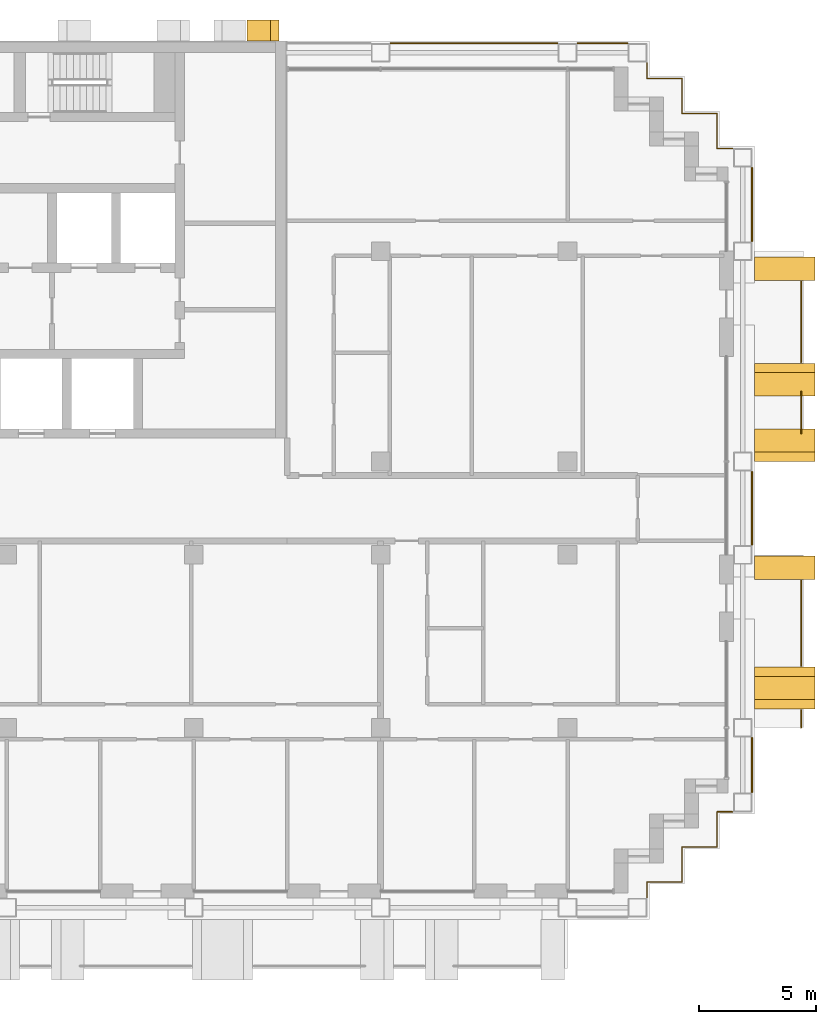
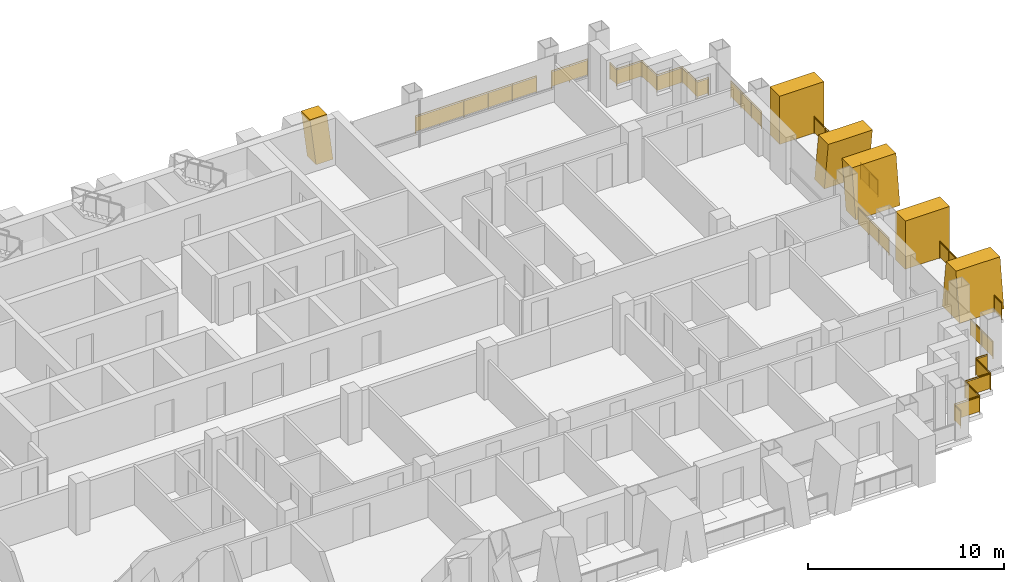
# One storey, part 16 of 16: 11 railings, 6 shading devices.
"""IFC4 building model written with IfcOpenShell, lengths in metres."""

from ifc_helpers import new_model, si_unit, direction, frame, origin, origin_2d, place, context, subcontext, project, spatial, polyline, rectangle, circle, outline, extrude, material, layer, layer_set, type_object, element, save


model = new_model("IFC4")

# Units and contexts
model_context = context("Model", 3, precision=1e-05, world=origin(), true_north=direction((0.0, 1.0)))
body_context = subcontext(model_context, "Body", "Model", "MODEL_VIEW")
ifc_project = project(units=[si_unit("LENGTHUNIT", "METRE"), si_unit("AREAUNIT", "SQUARE_METRE"), si_unit("VOLUMEUNIT", "CUBIC_METRE"), si_unit("PLANEANGLEUNIT", "RADIAN"), si_unit("MASSUNIT", "GRAM", prefix="KILO")], contexts=[model_context])

# Site, building, storey
site_placement = place(None, origin())
site = spatial("IfcSite", under=ifc_project, at=site_placement, CompositionType="ELEMENT")
building_placement = place(site_placement, origin())
building = spatial("IfcBuilding", under=site, at=building_placement, Name="Vidyagriha Tower", CompositionType="ELEMENT")
storey_placement = place(building_placement, frame((0.0, 0.0, 145.39990234375)))
storey = spatial("IfcBuildingStorey", under=building, at=storey_placement, Name="L38", CompositionType="ELEMENT", Elevation=145.39990234375)

# Railings
ifc_material_1 = material(Name="Steel ASTM A500 Grade C black painted", Category="steel")
railing_type_1 = type_object("IfcRailingType", Name="Balcony guard 1100", PredefinedType="BALUSTRADE", material=ifc_material_1)
railing_1_placement = place(storey_placement, frame((36.0, -9.39990234375, 0.0)))
element("IfcRailing", 1, at=railing_1_placement, inside=storey, type_object=railing_type_1, Name="Balcony guard L38 R30.1-1", PredefinedType="BALUSTRADE", context=body_context, shape_type="SweptSolid", body=[
    extrude(circle(Radius=0.02490234375, at=origin_2d()), frame((0.0, 0.0, 1.0751953125), z_axis=(0.0, 1.0, 0.0), x_axis=(-1.0, 0.0, 0.0)), (0.0, 0.0, 1.0), 0.75),
    extrude(circle(Radius=0.02001953125, at=origin_2d()), origin(), (0.0, 0.0, 1.0), 1.050048828125),
    extrude(circle(Radius=0.02001953125, at=origin_2d()), frame((0.0, 0.75, 0.0)), (0.0, 0.0, 1.0), 1.050048828125),
    extrude(rectangle(XDim=0.010009765625, YDim=0.900146484375, at=origin_2d()), frame((0.0, 0.0, 0.550048828125), z_axis=(0.0, 1.0, 0.0), x_axis=(-1.0, 0.0, 0.0)), (0.0, 0.0, 1.0), 0.75),
])
railing_2_placement = place(storey_placement, frame((36.0, -6.75, 0.0)))
element("IfcRailing", 2, at=railing_2_placement, inside=storey, type_object=railing_type_1, Name="Balcony guard L38 R30.1-2", PredefinedType="BALUSTRADE", context=body_context, shape_type="SweptSolid", body=[
    extrude(circle(Radius=0.02490234375, at=origin_2d()), frame((0.0, 0.0, 1.0751953125), z_axis=(0.0, 1.0, 0.0), x_axis=(-1.0, 0.0, 0.0)), (0.0, 0.0, 1.0), 3.64990234375),
    extrude(circle(Radius=0.02001953125, at=origin_2d()), origin(), (0.0, 0.0, 1.0), 1.050048828125),
    extrude(circle(Radius=0.02001953125, at=origin_2d()), frame((0.0, 0.91259765625, 0.0)), (0.0, 0.0, 1.0), 1.050048828125),
    extrude(circle(Radius=0.02001953125, at=origin_2d()), frame((0.0, 1.824951171875, 0.0)), (0.0, 0.0, 1.0), 1.050048828125),
    extrude(circle(Radius=0.02001953125, at=origin_2d()), frame((0.0, 2.7373046875, 0.0)), (0.0, 0.0, 1.0), 1.050048828125),
    extrude(circle(Radius=0.02001953125, at=origin_2d()), frame((0.0, 3.64990234375, 0.0)), (0.0, 0.0, 1.0), 1.050048828125),
    extrude(rectangle(XDim=0.010009765625, YDim=0.900146484375, at=origin_2d()), frame((0.0, 0.0, 0.550048828125), z_axis=(0.0, 1.0, 0.0), x_axis=(-1.0, 0.0, 0.0)), (0.0, 0.0, 1.0), 3.64990234375),
])
railing_3_placement = place(storey_placement, frame((36.0, 3.203369140625, 0.0)))
element("IfcRailing", 3, at=railing_3_placement, inside=storey, type_object=railing_type_1, Name="Balcony guard L38 R30.2-1", PredefinedType="BALUSTRADE", context=body_context, shape_type="SweptSolid", body=[
    extrude(circle(Radius=0.02490234375, at=origin_2d()), frame((0.0, 0.0, 1.0751953125), z_axis=(0.0, 1.0, 0.0), x_axis=(-1.0, 0.0, 0.0)), (0.0, 0.0, 1.0), 1.793212890625),
    extrude(circle(Radius=0.02001953125, at=origin_2d()), origin(), (0.0, 0.0, 1.0), 1.050048828125),
    extrude(circle(Radius=0.02001953125, at=origin_2d()), frame((0.0, 0.896484375, 0.0)), (0.0, 0.0, 1.0), 1.050048828125),
    extrude(circle(Radius=0.02001953125, at=origin_2d()), frame((0.0, 1.793212890625, 0.0)), (0.0, 0.0, 1.0), 1.050048828125),
    extrude(rectangle(XDim=0.010009765625, YDim=0.900146484375, at=origin_2d()), frame((0.0, 0.0, 0.550048828125), z_axis=(0.0, 1.0, 0.0), x_axis=(-1.0, 0.0, 0.0)), (0.0, 0.0, 1.0), 1.793212890625),
])
railing_4_placement = place(storey_placement, frame((36.0, 6.25, 0.0)))
element("IfcRailing", 4, at=railing_4_placement, inside=storey, type_object=railing_type_1, Name="Balcony guard L38 R30.2-2", PredefinedType="BALUSTRADE", context=body_context, shape_type="SweptSolid", body=[
    extrude(circle(Radius=0.02490234375, at=origin_2d()), frame((0.0, 0.0, 1.0751953125), z_axis=(0.0, 1.0, 0.0), x_axis=(-1.0, 0.0, 0.0)), (0.0, 0.0, 1.0), 3.449951171875),
    extrude(circle(Radius=0.02001953125, at=origin_2d()), origin(), (0.0, 0.0, 1.0), 1.050048828125),
    extrude(circle(Radius=0.02001953125, at=origin_2d()), frame((0.0, 1.14990234375, 0.0)), (0.0, 0.0, 1.0), 1.050048828125),
    extrude(circle(Radius=0.02001953125, at=origin_2d()), frame((0.0, 2.300048828125, 0.0)), (0.0, 0.0, 1.0), 1.050048828125),
    extrude(circle(Radius=0.02001953125, at=origin_2d()), frame((0.0, 3.449951171875, 0.0)), (0.0, 0.0, 1.0), 1.050048828125),
    extrude(rectangle(XDim=0.010009765625, YDim=0.900146484375, at=origin_2d()), frame((0.0, 0.0, 0.550048828125), z_axis=(0.0, 1.0, 0.0), x_axis=(-1.0, 0.0, 0.0)), (0.0, 0.0, 1.0), 3.449951171875),
])

# Shading devices
ifc_material_2 = material(Name="Precast concrete C40/50 with buff brick facing", Category="concrete")
ifc_layer_1 = layer(ifc_material_2, 1.0)
ifc_layer_set_1 = layer_set([ifc_layer_1], Name="Precast concrete C40/50 with buff brick facing")
shading_device_type_1 = type_object("IfcShadingDeviceType", Name="Brick-faced blade fin arm leaning 8 degrees", PredefinedType="USERDEFINED", material=ifc_layer_set_1)
shading_device_1_placement = place(storey_placement, frame((35.300048828125, 4.800048828125, 0.0), z_axis=(0.0, 0.0, 1.0), x_axis=(0.0, 1.0, 0.0)))
element("IfcShadingDevice", 5, at=shading_device_1_placement, inside=storey, type_object=shading_device_type_1, Name="Leaning blade fin L38 R30.1360a", ObjectType="BLADE FIN", PredefinedType="USERDEFINED", context=body_context, shape_type="SweptSolid", body=[
    extrude(outline(polyline([(0.39990234375, 0.0), (1.39990234375, 0.0), (1.0, 3.0), (0.0, 3.0), (0.39990234375, 0.0)])), frame((0.0, 1.300048828125, 0.0), z_axis=(0.0, -1.0, 0.0), x_axis=(1.0, 0.0, 0.0)), (0.0, 0.0, 1.0), 2.60009765625),
])
shading_device_2_placement = place(storey_placement, frame((35.300048828125, 2.0, 0.0), z_axis=(0.0, 0.0, 1.0), x_axis=(0.0, 1.0, 0.0)))
element("IfcShadingDevice", 6, at=shading_device_2_placement, inside=storey, type_object=shading_device_type_1, Name="Leaning blade fin L38 R30.1360b", ObjectType="BLADE FIN", PredefinedType="USERDEFINED", context=body_context, shape_type="SweptSolid", body=[
    extrude(outline(polyline([(0.0, 0.0), (1.0, 0.0), (1.39990234375, 3.0), (0.39990234375, 3.0), (0.0, 0.0)])), frame((0.0, 1.300048828125, 0.0), z_axis=(0.0, -1.0, 0.0), x_axis=(1.0, 0.0, 0.0)), (0.0, 0.0, 1.0), 2.60009765625),
])
ifc_material_3 = material(Name="Precast concrete C40/50 with buff brick facing", Category="concrete")
ifc_layer_2 = layer(ifc_material_3, 1.0)
ifc_layer_set_2 = layer_set([ifc_layer_2], Name="Precast concrete C40/50 with buff brick facing")
shading_device_type_2 = type_object("IfcShadingDeviceType", Name="Brick-faced blade fin forking 8 degrees", PredefinedType="USERDEFINED", material=ifc_layer_set_2)
shading_device_3_placement = place(storey_placement, frame((35.300048828125, -8.60009765625, 0.0), z_axis=(0.0, 0.0, 1.0), x_axis=(0.0, 1.0, 0.0)))
element("IfcShadingDevice", 7, at=shading_device_3_placement, inside=storey, type_object=shading_device_type_2, Name="Forked blade fin L38 R30.220a", ObjectType="BLADE FIN", PredefinedType="USERDEFINED", context=body_context, shape_type="SweptSolid", body=[
    extrude(outline(polyline([(0.0, 0.0), (1.800048828125, 0.0), (1.39990234375, 3.0), (0.39990234375, 3.0), (0.0, 0.0)])), frame((0.0, 1.300048828125, 0.0), z_axis=(0.0, -1.0, 0.0), x_axis=(1.0, 0.0, 0.0)), (0.0, 0.0, 1.0), 2.60009765625),
])
ifc_material_4 = material(Name="Precast concrete C40/50 with buff brick facing", Category="concrete")
ifc_layer_3 = layer(ifc_material_4, 1.0)
ifc_layer_set_3 = layer_set([ifc_layer_3], Name="Precast concrete C40/50 with buff brick facing")
shading_device_type_3 = type_object("IfcShadingDeviceType", Name="Brick-faced blade fin stem 1000", PredefinedType="USERDEFINED", material=ifc_layer_set_3)
for number, where, z_axis, x_axis, name in (
    (8, (35.300048828125, -3.050048828125, 0.0), (0.0, 0.0, 1.0), (0.0, 1.0, 0.0), "Stem blade fin L38 R30.960a"),
    (9, (35.300048828125, 9.75, 0.0), (0.0, 0.0, 1.0), (0.0, 1.0, 0.0), "Stem blade fin L38 R30.2260a"),
):
    element("IfcShadingDevice", number, at=place(storey_placement, frame(where, z_axis=z_axis, x_axis=x_axis)), inside=storey, type_object=shading_device_type_3, Name=name, ObjectType="BLADE FIN", PredefinedType="USERDEFINED", context=body_context, shape_type="SweptSolid", body=[
        extrude(outline(polyline([(0.0, 0.0), (1.0, 0.0), (1.0, 3.0), (0.0, 3.0), (0.0, 0.0)])), frame((0.0, 1.300048828125, 0.0), z_axis=(0.0, -1.0, 0.0), x_axis=(1.0, 0.0, 0.0)), (0.0, 0.0, 1.0), 2.60009765625),
    ])
ifc_material_5 = material(Name="Precast concrete C40/50 with brick facing", Category="concrete")
ifc_layer_4 = layer(ifc_material_5, 1.0)
ifc_layer_set_4 = layer_set([ifc_layer_4], Name="Precast concrete C40/50 with brick facing")
shading_device_type_4 = type_object("IfcShadingDeviceType", Name="Brick-faced rear rib arm leaning 8 degrees", PredefinedType="USERDEFINED", material=ifc_layer_set_4)
shading_device_4_placement = place(storey_placement, frame((13.642822265625, 20.449951171875, 0.0), z_axis=(0.0, 0.0, 1.0), x_axis=(-1.0, 0.0, 0.0)))
element("IfcShadingDevice", 10, at=shading_device_4_placement, inside=storey, type_object=shading_device_type_4, Name="Rear rib arm L38 R08.1b", ObjectType="BLADE FIN", PredefinedType="USERDEFINED", context=body_context, shape_type="SweptSolid", body=[
    extrude(outline(polyline([(0.0, 0.0), (1.0, 0.0), (1.357177734375, 2.920166015625), (0.357177734375, 2.920166015625), (0.0, 0.0)])), frame((0.0, 0.449951171875, 0.0), z_axis=(0.0, -1.0, 0.0), x_axis=(1.0, 0.0, 0.0)), (0.0, 0.0, 1.0), 0.89990234375),
])

# Railings
ifc_material_6 = material(Name="Steel ASTM A500 Grade C black painted", Category="steel")
railing_type_2 = type_object("IfcRailingType", Name="Gallery guard 1100", PredefinedType="GUARDRAIL", material=ifc_material_6)
railing_5_placement = place(storey_placement, frame((18.429931640625, 19.89990234375, 0.0)))
element("IfcRailing", 11, at=railing_5_placement, inside=storey, type_object=railing_type_2, Name="Gallery guard L38 10", PredefinedType="GUARDRAIL", context=body_context, shape_type="SweptSolid", body=[
    extrude(circle(Radius=0.02490234375, at=origin_2d()), frame((0.0, 0.0, 1.0751953125), z_axis=(1.0, 0.0, 0.0), x_axis=(0.0, 1.0, 0.0)), (0.0, 0.0, 1.0), 7.14013671875),
    extrude(circle(Radius=0.02001953125, at=origin_2d()), origin(), (0.0, 0.0, 1.0), 1.050048828125),
    extrude(circle(Radius=0.02001953125, at=origin_2d()), frame((1.427978515625, 0.0, 0.0)), (0.0, 0.0, 1.0), 1.050048828125),
    extrude(circle(Radius=0.02001953125, at=origin_2d()), frame((2.85595703125, 0.0, 0.0)), (0.0, 0.0, 1.0), 1.050048828125),
    extrude(circle(Radius=0.02001953125, at=origin_2d()), frame((4.2841796875, 0.0, 0.0)), (0.0, 0.0, 1.0), 1.050048828125),
    extrude(circle(Radius=0.02001953125, at=origin_2d()), frame((5.712158203125, 0.0, 0.0)), (0.0, 0.0, 1.0), 1.050048828125),
    extrude(circle(Radius=0.02001953125, at=origin_2d()), frame((7.14013671875, 0.0, 0.0)), (0.0, 0.0, 1.0), 1.050048828125),
    extrude(rectangle(XDim=0.010009765625, YDim=0.900146484375, at=origin_2d()), frame((0.0, 0.0, 0.550048828125), z_axis=(1.0, 0.0, 0.0), x_axis=(0.0, 1.0, 0.0)), (0.0, 0.0, 1.0), 7.14013671875),
])
railing_6_placement = place(storey_placement, frame((26.429931640625, 19.89990234375, 0.0)))
element("IfcRailing", 12, at=railing_6_placement, inside=storey, type_object=railing_type_2, Name="Gallery guard L38 12", PredefinedType="GUARDRAIL", context=body_context, shape_type="SweptSolid", body=[
    extrude(circle(Radius=0.02490234375, at=origin_2d()), frame((0.0, 0.0, 1.0751953125), z_axis=(1.0, 0.0, 0.0), x_axis=(0.0, 1.0, 0.0)), (0.0, 0.0, 1.0), 2.14013671875),
    extrude(circle(Radius=0.02001953125, at=origin_2d()), origin(), (0.0, 0.0, 1.0), 1.050048828125),
    extrude(circle(Radius=0.02001953125, at=origin_2d()), frame((1.070068359375, 0.0, 0.0)), (0.0, 0.0, 1.0), 1.050048828125),
    extrude(circle(Radius=0.02001953125, at=origin_2d()), frame((2.14013671875, 0.0, 0.0)), (0.0, 0.0, 1.0), 1.050048828125),
    extrude(rectangle(XDim=0.010009765625, YDim=0.900146484375, at=origin_2d()), frame((0.0, 0.0, 0.550048828125), z_axis=(1.0, 0.0, 0.0), x_axis=(0.0, 1.0, 0.0)), (0.0, 0.0, 1.0), 2.14013671875),
])
railing_7_placement = place(storey_placement, frame((33.070068359375, -13.0, 0.0)))
element("IfcRailing", 13, at=railing_7_placement, inside=storey, type_object=railing_type_2, Name="Gallery guard L38 13", PredefinedType="GUARDRAIL", context=body_context, shape_type="SweptSolid", body=[
    extrude(circle(Radius=0.02490234375, at=origin_2d()), frame((0.0, 0.0, 1.0751953125), z_axis=(-1.0, 0.0, 0.0), x_axis=(0.0, -1.0, 0.0)), (0.0, 0.0, 1.0), 0.670166015625),
    extrude(circle(Radius=0.02490234375, at=origin_2d()), frame((-0.670166015625, 0.0, 1.0751953125), z_axis=(0.0, -1.0, 0.0), x_axis=(1.0, 0.0, 0.0)), (0.0, 0.0, 1.0), 1.5),
    extrude(circle(Radius=0.02490234375, at=origin_2d()), frame((-0.670166015625, -1.5, 1.0751953125), z_axis=(-1.0, 0.0, 0.0), x_axis=(0.0, -1.0, 0.0)), (0.0, 0.0, 1.0), 1.5),
    extrude(circle(Radius=0.02490234375, at=origin_2d()), frame((-2.170166015625, -1.5, 1.0751953125), z_axis=(0.0, -1.0, 0.0), x_axis=(1.0, 0.0, 0.0)), (0.0, 0.0, 1.0), 1.5),
    extrude(circle(Radius=0.02490234375, at=origin_2d()), frame((-2.170166015625, -3.0, 1.0751953125), z_axis=(-1.0, 0.0, 0.0), x_axis=(0.0, -1.0, 0.0)), (0.0, 0.0, 1.0), 1.5),
    extrude(circle(Radius=0.02490234375, at=origin_2d()), frame((-3.670166015625, -3.0, 1.0751953125), z_axis=(0.0, -1.0, 0.0), x_axis=(1.0, 0.0, 0.0)), (0.0, 0.0, 1.0), 0.669921875),
    extrude(circle(Radius=0.02001953125, at=origin_2d()), origin(), (0.0, 0.0, 1.0), 1.050048828125),
    extrude(circle(Radius=0.02001953125, at=origin_2d()), frame((-0.670166015625, 0.0, 0.0)), (0.0, 0.0, 1.0), 1.050048828125),
    extrude(circle(Radius=0.02001953125, at=origin_2d()), frame((-0.670166015625, -1.5, 0.0)), (0.0, 0.0, 1.0), 1.050048828125),
    extrude(circle(Radius=0.02001953125, at=origin_2d()), frame((-2.170166015625, -1.5, 0.0)), (0.0, 0.0, 1.0), 1.050048828125),
    extrude(circle(Radius=0.02001953125, at=origin_2d()), frame((-2.170166015625, -3.0, 0.0)), (0.0, 0.0, 1.0), 1.050048828125),
    extrude(circle(Radius=0.02001953125, at=origin_2d()), frame((-3.670166015625, -3.0, 0.0)), (0.0, 0.0, 1.0), 1.050048828125),
    extrude(circle(Radius=0.02001953125, at=origin_2d()), frame((-3.670166015625, -3.669921875, 0.0)), (0.0, 0.0, 1.0), 1.050048828125),
    extrude(rectangle(XDim=0.010009765625, YDim=0.900146484375, at=origin_2d()), frame((0.0, 0.0, 0.550048828125), z_axis=(-1.0, 0.0, 0.0), x_axis=(0.0, -1.0, 0.0)), (0.0, 0.0, 1.0), 0.670166015625),
    extrude(rectangle(XDim=0.010009765625, YDim=0.900146484375, at=origin_2d()), frame((-0.670166015625, 0.0, 0.550048828125), z_axis=(0.0, -1.0, 0.0), x_axis=(1.0, 0.0, 0.0)), (0.0, 0.0, 1.0), 1.5),
    extrude(rectangle(XDim=0.010009765625, YDim=0.900146484375, at=origin_2d()), frame((-0.670166015625, -1.5, 0.550048828125), z_axis=(-1.0, 0.0, 0.0), x_axis=(0.0, -1.0, 0.0)), (0.0, 0.0, 1.0), 1.5),
    extrude(rectangle(XDim=0.010009765625, YDim=0.900146484375, at=origin_2d()), frame((-2.170166015625, -1.5, 0.550048828125), z_axis=(0.0, -1.0, 0.0), x_axis=(1.0, 0.0, 0.0)), (0.0, 0.0, 1.0), 1.5),
    extrude(rectangle(XDim=0.010009765625, YDim=0.900146484375, at=origin_2d()), frame((-2.170166015625, -3.0, 0.550048828125), z_axis=(-1.0, 0.0, 0.0), x_axis=(0.0, -1.0, 0.0)), (0.0, 0.0, 1.0), 1.5),
    extrude(rectangle(XDim=0.010009765625, YDim=0.900146484375, at=origin_2d()), frame((-3.670166015625, -3.0, 0.550048828125), z_axis=(0.0, -1.0, 0.0), x_axis=(1.0, 0.0, 0.0)), (0.0, 0.0, 1.0), 0.669921875),
])
railing_8_placement = place(storey_placement, frame((29.39990234375, 19.070068359375, 0.0)))
element("IfcRailing", 14, at=railing_8_placement, inside=storey, type_object=railing_type_2, Name="Gallery guard L38 14", PredefinedType="GUARDRAIL", context=body_context, shape_type="SweptSolid", body=[
    extrude(circle(Radius=0.02490234375, at=origin_2d()), frame((0.0, 0.0, 1.0751953125), z_axis=(0.0, -1.0, 0.0), x_axis=(1.0, 0.0, 0.0)), (0.0, 0.0, 1.0), 0.670166015625),
    extrude(circle(Radius=0.02490234375, at=origin_2d()), frame((0.0, -0.670166015625, 1.0751953125), z_axis=(1.0, 0.0, 0.0), x_axis=(0.0, 1.0, 0.0)), (0.0, 0.0, 1.0), 1.5),
    extrude(circle(Radius=0.02490234375, at=origin_2d()), frame((1.5, -0.670166015625, 1.0751953125), z_axis=(0.0, -1.0, 0.0), x_axis=(1.0, 0.0, 0.0)), (0.0, 0.0, 1.0), 1.5),
    extrude(circle(Radius=0.02490234375, at=origin_2d()), frame((1.5, -2.170166015625, 1.0751953125), z_axis=(1.0, 0.0, 0.0), x_axis=(0.0, 1.0, 0.0)), (0.0, 0.0, 1.0), 1.5),
    extrude(circle(Radius=0.02490234375, at=origin_2d()), frame((3.0, -2.170166015625, 1.0751953125), z_axis=(0.0, -1.0, 0.0), x_axis=(1.0, 0.0, 0.0)), (0.0, 0.0, 1.0), 1.5),
    extrude(circle(Radius=0.02490234375, at=origin_2d()), frame((3.0, -3.670166015625, 1.0751953125), z_axis=(1.0, 0.0, 0.0), x_axis=(0.0, 1.0, 0.0)), (0.0, 0.0, 1.0), 0.670166015625),
    extrude(circle(Radius=0.02001953125, at=origin_2d()), origin(), (0.0, 0.0, 1.0), 1.050048828125),
    extrude(circle(Radius=0.02001953125, at=origin_2d()), frame((0.0, -0.670166015625, 0.0)), (0.0, 0.0, 1.0), 1.050048828125),
    extrude(circle(Radius=0.02001953125, at=origin_2d()), frame((1.5, -0.670166015625, 0.0)), (0.0, 0.0, 1.0), 1.050048828125),
    extrude(circle(Radius=0.02001953125, at=origin_2d()), frame((1.5, -2.170166015625, 0.0)), (0.0, 0.0, 1.0), 1.050048828125),
    extrude(circle(Radius=0.02001953125, at=origin_2d()), frame((3.0, -2.170166015625, 0.0)), (0.0, 0.0, 1.0), 1.050048828125),
    extrude(circle(Radius=0.02001953125, at=origin_2d()), frame((3.0, -3.670166015625, 0.0)), (0.0, 0.0, 1.0), 1.050048828125),
    extrude(circle(Radius=0.02001953125, at=origin_2d()), frame((3.670166015625, -3.670166015625, 0.0)), (0.0, 0.0, 1.0), 1.050048828125),
    extrude(rectangle(XDim=0.010009765625, YDim=0.900146484375, at=origin_2d()), frame((0.0, 0.0, 0.550048828125), z_axis=(0.0, -1.0, 0.0), x_axis=(1.0, 0.0, 0.0)), (0.0, 0.0, 1.0), 0.670166015625),
    extrude(rectangle(XDim=0.010009765625, YDim=0.900146484375, at=origin_2d()), frame((0.0, -0.670166015625, 0.550048828125), z_axis=(1.0, 0.0, 0.0), x_axis=(0.0, 1.0, 0.0)), (0.0, 0.0, 1.0), 1.5),
    extrude(rectangle(XDim=0.010009765625, YDim=0.900146484375, at=origin_2d()), frame((1.5, -0.670166015625, 0.550048828125), z_axis=(0.0, -1.0, 0.0), x_axis=(1.0, 0.0, 0.0)), (0.0, 0.0, 1.0), 1.5),
    extrude(rectangle(XDim=0.010009765625, YDim=0.900146484375, at=origin_2d()), frame((1.5, -2.170166015625, 0.550048828125), z_axis=(1.0, 0.0, 0.0), x_axis=(0.0, 1.0, 0.0)), (0.0, 0.0, 1.0), 1.5),
    extrude(rectangle(XDim=0.010009765625, YDim=0.900146484375, at=origin_2d()), frame((3.0, -2.170166015625, 0.550048828125), z_axis=(0.0, -1.0, 0.0), x_axis=(1.0, 0.0, 0.0)), (0.0, 0.0, 1.0), 1.5),
    extrude(rectangle(XDim=0.010009765625, YDim=0.900146484375, at=origin_2d()), frame((3.0, -3.670166015625, 0.550048828125), z_axis=(1.0, 0.0, 0.0), x_axis=(0.0, 1.0, 0.0)), (0.0, 0.0, 1.0), 0.670166015625),
])
railing_9_placement = place(storey_placement, frame((33.89990234375, -9.830078125, 0.0)))
element("IfcRailing", 15, at=railing_9_placement, inside=storey, type_object=railing_type_2, Name="Gallery guard L38 15", PredefinedType="GUARDRAIL", context=body_context, shape_type="SweptSolid", body=[
    extrude(circle(Radius=0.02490234375, at=origin_2d()), frame((0.0, 0.0, 1.0751953125), z_axis=(0.0, -1.0, 0.0), x_axis=(1.0, 0.0, 0.0)), (0.0, 0.0, 1.0), 2.33984375),
    extrude(circle(Radius=0.02001953125, at=origin_2d()), origin(), (0.0, 0.0, 1.0), 1.050048828125),
    extrude(circle(Radius=0.02001953125, at=origin_2d()), frame((0.0, -1.169921875, 0.0)), (0.0, 0.0, 1.0), 1.050048828125),
    extrude(circle(Radius=0.02001953125, at=origin_2d()), frame((0.0, -2.33984375, 0.0)), (0.0, 0.0, 1.0), 1.050048828125),
    extrude(rectangle(XDim=0.010009765625, YDim=0.900146484375, at=origin_2d()), frame((0.0, 0.0, 0.550048828125), z_axis=(0.0, -1.0, 0.0), x_axis=(1.0, 0.0, 0.0)), (0.0, 0.0, 1.0), 2.33984375),
])
for number, where, name in (
    (16, (33.89990234375, 1.570068359375, 0.0), "Gallery guard L38 16"),
    (17, (33.89990234375, 14.570068359375, 0.0), "Gallery guard L38 17"),
):
    element("IfcRailing", number, at=place(storey_placement, frame(where)), inside=storey, type_object=railing_type_2, Name=name, PredefinedType="GUARDRAIL", context=body_context, shape_type="SweptSolid", body=[
        extrude(circle(Radius=0.02490234375, at=origin_2d()), frame((0.0, 0.0, 1.0751953125), z_axis=(0.0, -1.0, 0.0), x_axis=(1.0, 0.0, 0.0)), (0.0, 0.0, 1.0), 3.14013671875),
        extrude(circle(Radius=0.02001953125, at=origin_2d()), origin(), (0.0, 0.0, 1.0), 1.050048828125),
        extrude(circle(Radius=0.02001953125, at=origin_2d()), frame((0.0, -1.046630859375, 0.0)), (0.0, 0.0, 1.0), 1.050048828125),
        extrude(circle(Radius=0.02001953125, at=origin_2d()), frame((0.0, -2.093505859375, 0.0)), (0.0, 0.0, 1.0), 1.050048828125),
        extrude(circle(Radius=0.02001953125, at=origin_2d()), frame((0.0, -3.14013671875, 0.0)), (0.0, 0.0, 1.0), 1.050048828125),
        extrude(rectangle(XDim=0.010009765625, YDim=0.900146484375, at=origin_2d()), frame((0.0, 0.0, 0.550048828125), z_axis=(0.0, -1.0, 0.0), x_axis=(1.0, 0.0, 0.0)), (0.0, 0.0, 1.0), 3.14013671875),
    ])

save(model, "model.ifc")
